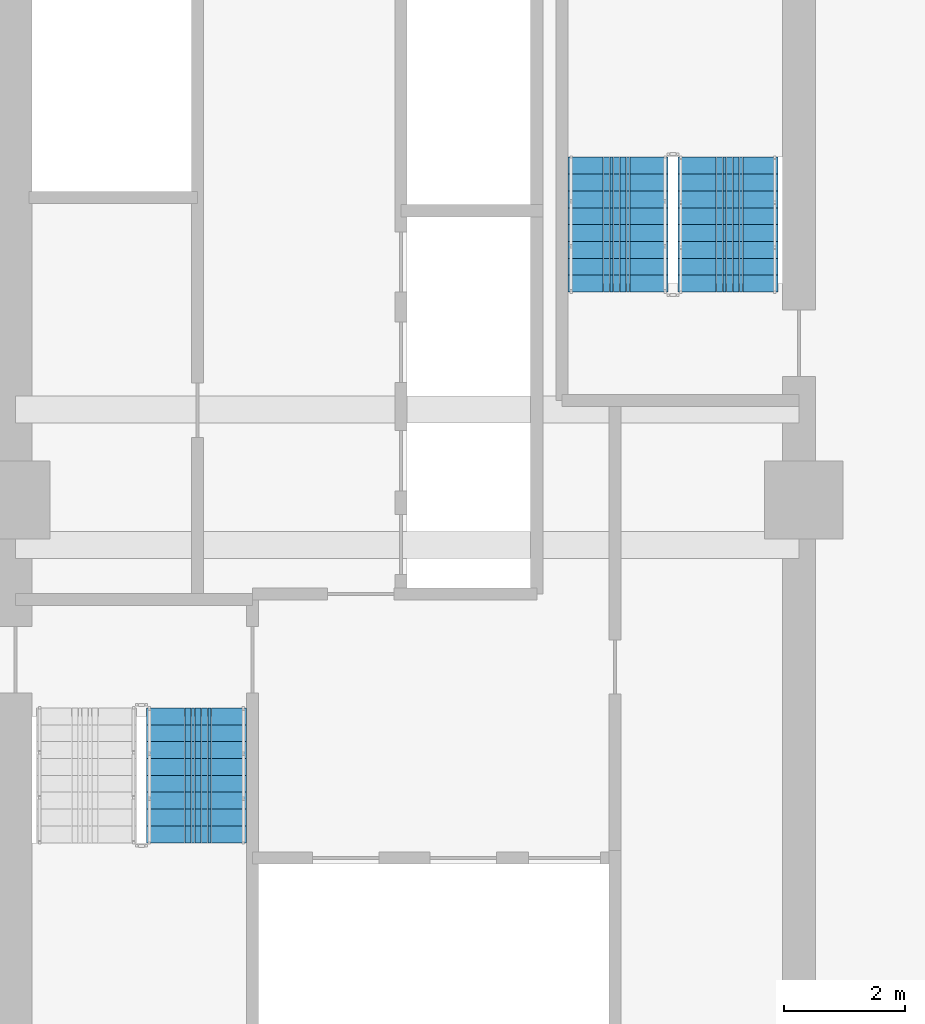
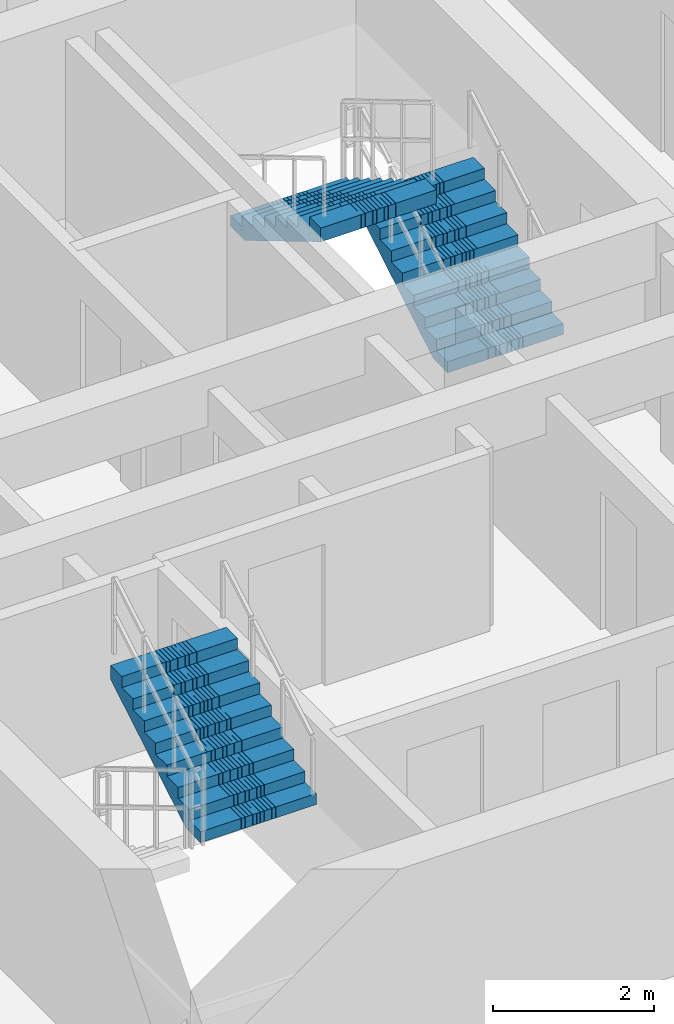
# One storey, part 7 of 11: 3 stair flights, 2 elements without a shape of their own.
"""IFC4 building model written with IfcOpenShell, lengths in metres."""

from ifc_helpers import new_model, si_unit, direction, frame, origin, place, context, subcontext, project, spatial, polyline, outline, extrude, material, type_object, element, aggregate, save


model = new_model("IFC4")

# Units and contexts
model_context = context("Model", 3, precision=1e-05, world=origin(), true_north=direction((0.0, 1.0)))
body_context = subcontext(model_context, "Body", "Model", "MODEL_VIEW")
ifc_project = project(units=[si_unit("LENGTHUNIT", "METRE"), si_unit("AREAUNIT", "SQUARE_METRE"), si_unit("VOLUMEUNIT", "CUBIC_METRE"), si_unit("PLANEANGLEUNIT", "RADIAN"), si_unit("MASSUNIT", "GRAM", prefix="KILO")], contexts=[model_context])

# Site, building, storey
site_placement = place(None, origin())
site = spatial("IfcSite", under=ifc_project, at=site_placement, CompositionType="ELEMENT")
building_placement = place(site_placement, origin())
building = spatial("IfcBuilding", under=site, at=building_placement, Name="Saelheon Loggia Tower", CompositionType="ELEMENT")
storey_placement = place(building_placement, frame((0.0, 0.0, 141.75)))
storey = spatial("IfcBuildingStorey", under=building, at=storey_placement, Name="L45", CompositionType="ELEMENT", Elevation=141.75)

# Stair, stair flight
ifc_material = material(Name="Concrete C40/50", Category="concrete")
stair_type = type_object("IfcStairType", Name="Stair_Escape_Core", PredefinedType="HALF_TURN_STAIR", material=ifc_material)
stair_1_placement = place(storey_placement, origin())
stair_1 = element("IfcStair", 1, at=stair_1_placement, inside=storey, type_object=stair_type, Name="L45 Special Escape Stair ST1", PredefinedType="HALF_TURN_STAIR")
stair_flight_type = type_object("IfcStairFlightType", Name="StairFlight_Tower_1660", PredefinedType="STRAIGHT", material=ifc_material)
stair_flight_1_placement = place(storey_placement, frame((34.5, 21.31005859375, 1.5), z_axis=(0.0, 0.0, 1.0), x_axis=(0.0, 1.0, 0.0)))
stair_flight_1 = element("IfcStairFlight", 2, at=stair_flight_1_placement, type_object=stair_flight_type, Name="ST1 flight 2", NumberOfRisers=9, NumberOfTreads=8, PredefinedType="STRAIGHT", RiserHeight=0.166666667, TreadLength=0.28, context=body_context, shape_type="SweptSolid", body=[
    extrude(outline(polyline([(0.0, 0.0), (0.0, 0.166748046875), (0.280029296875, 0.166748046875), (0.280029296875, 0.333251953125), (0.56005859375, 0.333251953125), (0.56005859375, 0.5), (0.840087890625, 0.5), (0.840087890625, 0.666748046875), (1.1201171875, 0.666748046875), (1.1201171875, 0.833251953125), (1.39990234375, 0.833251953125), (1.39990234375, 1.0), (1.679931640625, 1.0), (1.679931640625, 1.166748046875), (1.9599609375, 1.166748046875), (1.9599609375, 1.333251953125), (2.239990234375, 1.333251953125), (2.239990234375, 1.5), (2.239990234375, 1.1240234375), (0.351806640625, 0.0), (0.0, 0.0)])), frame((0.0, -0.2490234375, 0.0), z_axis=(0.0, -1.0, 0.0), x_axis=(1.0, 0.0, 0.0)), (0.0, 0.0, 1.0), 0.5810546875),
    extrude(outline(polyline([(0.0, 0.0), (0.0, 0.166748046875), (0.280029296875, 0.166748046875), (0.280029296875, 0.333251953125), (0.56005859375, 0.333251953125), (0.56005859375, 0.5), (0.840087890625, 0.5), (0.840087890625, 0.666748046875), (1.1201171875, 0.666748046875), (1.1201171875, 0.833251953125), (1.39990234375, 0.833251953125), (1.39990234375, 1.0), (1.679931640625, 1.0), (1.679931640625, 1.166748046875), (1.9599609375, 1.166748046875), (1.9599609375, 1.333251953125), (2.239990234375, 1.333251953125), (2.239990234375, 1.5), (2.239990234375, 1.1240234375), (0.351806640625, 0.0), (0.0, 0.0)])), frame((0.0, -0.194091796875, 0.0), z_axis=(0.0, -1.0, 0.0), x_axis=(1.0, 0.0, 0.0)), (0.0, 0.0, 1.0), 0.0498046875),
    extrude(outline(polyline([(0.0, 0.0), (0.0, 0.166748046875), (0.280029296875, 0.166748046875), (0.280029296875, 0.333251953125), (0.56005859375, 0.333251953125), (0.56005859375, 0.5), (0.840087890625, 0.5), (0.840087890625, 0.666748046875), (1.1201171875, 0.666748046875), (1.1201171875, 0.833251953125), (1.39990234375, 0.833251953125), (1.39990234375, 1.0), (1.679931640625, 1.0), (1.679931640625, 1.166748046875), (1.9599609375, 1.166748046875), (1.9599609375, 1.333251953125), (2.239990234375, 1.333251953125), (2.239990234375, 1.5), (2.239990234375, 1.1240234375), (0.351806640625, 0.0), (0.0, 0.0)])), frame((0.0, -0.139404296875, 0.0), z_axis=(0.0, -1.0, 0.0), x_axis=(1.0, 0.0, 0.0)), (0.0, 0.0, 1.0), 0.0498046875),
    extrude(outline(polyline([(0.0, 0.0), (0.0, 0.166748046875), (0.280029296875, 0.166748046875), (0.280029296875, 0.333251953125), (0.56005859375, 0.333251953125), (0.56005859375, 0.5), (0.840087890625, 0.5), (0.840087890625, 0.666748046875), (1.1201171875, 0.666748046875), (1.1201171875, 0.833251953125), (1.39990234375, 0.833251953125), (1.39990234375, 1.0), (1.679931640625, 1.0), (1.679931640625, 1.166748046875), (1.9599609375, 1.166748046875), (1.9599609375, 1.333251953125), (2.239990234375, 1.333251953125), (2.239990234375, 1.5), (2.239990234375, 1.1240234375), (0.351806640625, 0.0), (0.0, 0.0)])), frame((0.0, -0.084716796875, 0.0), z_axis=(0.0, -1.0, 0.0), x_axis=(1.0, 0.0, 0.0)), (0.0, 0.0, 1.0), 0.0498046875),
    extrude(outline(polyline([(0.0, 0.0), (0.0, 0.166748046875), (0.280029296875, 0.166748046875), (0.280029296875, 0.333251953125), (0.56005859375, 0.333251953125), (0.56005859375, 0.5), (0.840087890625, 0.5), (0.840087890625, 0.666748046875), (1.1201171875, 0.666748046875), (1.1201171875, 0.833251953125), (1.39990234375, 0.833251953125), (1.39990234375, 1.0), (1.679931640625, 1.0), (1.679931640625, 1.166748046875), (1.9599609375, 1.166748046875), (1.9599609375, 1.333251953125), (2.239990234375, 1.333251953125), (2.239990234375, 1.5), (2.239990234375, 1.1240234375), (0.351806640625, 0.0), (0.0, 0.0)])), frame((0.0, -0.02978515625, 0.0), z_axis=(0.0, -1.0, 0.0), x_axis=(1.0, 0.0, 0.0)), (0.0, 0.0, 1.0), 0.0498046875),
    extrude(outline(polyline([(0.0, 0.0), (0.0, 0.166748046875), (0.280029296875, 0.166748046875), (0.280029296875, 0.333251953125), (0.56005859375, 0.333251953125), (0.56005859375, 0.5), (0.840087890625, 0.5), (0.840087890625, 0.666748046875), (1.1201171875, 0.666748046875), (1.1201171875, 0.833251953125), (1.39990234375, 0.833251953125), (1.39990234375, 1.0), (1.679931640625, 1.0), (1.679931640625, 1.166748046875), (1.9599609375, 1.166748046875), (1.9599609375, 1.333251953125), (2.239990234375, 1.333251953125), (2.239990234375, 1.5), (2.239990234375, 1.1240234375), (0.351806640625, 0.0), (0.0, 0.0)])), frame((0.0, 0.02490234375, 0.0), z_axis=(0.0, -1.0, 0.0), x_axis=(1.0, 0.0, 0.0)), (0.0, 0.0, 1.0), 0.0498046875),
    extrude(outline(polyline([(0.0, 0.0), (0.0, 0.166748046875), (0.280029296875, 0.166748046875), (0.280029296875, 0.333251953125), (0.56005859375, 0.333251953125), (0.56005859375, 0.5), (0.840087890625, 0.5), (0.840087890625, 0.666748046875), (1.1201171875, 0.666748046875), (1.1201171875, 0.833251953125), (1.39990234375, 0.833251953125), (1.39990234375, 1.0), (1.679931640625, 1.0), (1.679931640625, 1.166748046875), (1.9599609375, 1.166748046875), (1.9599609375, 1.333251953125), (2.239990234375, 1.333251953125), (2.239990234375, 1.5), (2.239990234375, 1.1240234375), (0.351806640625, 0.0), (0.0, 0.0)])), frame((0.0, 0.07958984375, 0.0), z_axis=(0.0, -1.0, 0.0), x_axis=(1.0, 0.0, 0.0)), (0.0, 0.0, 1.0), 0.0498046875),
    extrude(outline(polyline([(0.0, 0.0), (0.0, 0.166748046875), (0.280029296875, 0.166748046875), (0.280029296875, 0.333251953125), (0.56005859375, 0.333251953125), (0.56005859375, 0.5), (0.840087890625, 0.5), (0.840087890625, 0.666748046875), (1.1201171875, 0.666748046875), (1.1201171875, 0.833251953125), (1.39990234375, 0.833251953125), (1.39990234375, 1.0), (1.679931640625, 1.0), (1.679931640625, 1.166748046875), (1.9599609375, 1.166748046875), (1.9599609375, 1.333251953125), (2.239990234375, 1.333251953125), (2.239990234375, 1.5), (2.239990234375, 1.1240234375), (0.351806640625, 0.0), (0.0, 0.0)])), frame((0.0, 0.134521484375, 0.0), z_axis=(0.0, -1.0, 0.0), x_axis=(1.0, 0.0, 0.0)), (0.0, 0.0, 1.0), 0.0498046875),
    extrude(outline(polyline([(0.0, 0.0), (0.0, 0.166748046875), (0.280029296875, 0.166748046875), (0.280029296875, 0.333251953125), (0.56005859375, 0.333251953125), (0.56005859375, 0.5), (0.840087890625, 0.5), (0.840087890625, 0.666748046875), (1.1201171875, 0.666748046875), (1.1201171875, 0.833251953125), (1.39990234375, 0.833251953125), (1.39990234375, 1.0), (1.679931640625, 1.0), (1.679931640625, 1.166748046875), (1.9599609375, 1.166748046875), (1.9599609375, 1.333251953125), (2.239990234375, 1.333251953125), (2.239990234375, 1.5), (2.239990234375, 1.1240234375), (0.351806640625, 0.0), (0.0, 0.0)])), frame((0.0, 0.189208984375, 0.0), z_axis=(0.0, -1.0, 0.0), x_axis=(1.0, 0.0, 0.0)), (0.0, 0.0, 1.0), 0.0498046875),
    extrude(outline(polyline([(0.0, 0.0), (0.0, 0.166748046875), (0.280029296875, 0.166748046875), (0.280029296875, 0.333251953125), (0.56005859375, 0.333251953125), (0.56005859375, 0.5), (0.840087890625, 0.5), (0.840087890625, 0.666748046875), (1.1201171875, 0.666748046875), (1.1201171875, 0.833251953125), (1.39990234375, 0.833251953125), (1.39990234375, 1.0), (1.679931640625, 1.0), (1.679931640625, 1.166748046875), (1.9599609375, 1.166748046875), (1.9599609375, 1.333251953125), (2.239990234375, 1.333251953125), (2.239990234375, 1.5), (2.239990234375, 1.1240234375), (0.351806640625, 0.0), (0.0, 0.0)])), frame((0.0, 0.243896484375, 0.0), z_axis=(0.0, -1.0, 0.0), x_axis=(1.0, 0.0, 0.0)), (0.0, 0.0, 1.0), 0.0498046875),
    extrude(outline(polyline([(0.0, 0.0), (0.0, 0.166748046875), (0.280029296875, 0.166748046875), (0.280029296875, 0.333251953125), (0.56005859375, 0.333251953125), (0.56005859375, 0.5), (0.840087890625, 0.5), (0.840087890625, 0.666748046875), (1.1201171875, 0.666748046875), (1.1201171875, 0.833251953125), (1.39990234375, 0.833251953125), (1.39990234375, 1.0), (1.679931640625, 1.0), (1.679931640625, 1.166748046875), (1.9599609375, 1.166748046875), (1.9599609375, 1.333251953125), (2.239990234375, 1.333251953125), (2.239990234375, 1.5), (2.239990234375, 1.1240234375), (0.351806640625, 0.0), (0.0, 0.0)])), frame((0.0, 0.830078125, 0.0), z_axis=(0.0, -1.0, 0.0), x_axis=(1.0, 0.0, 0.0)), (0.0, 0.0, 1.0), 0.5810546875),
])
aggregate(stair_1, [stair_flight_1])

# Stair, stair flights
stair_2_placement = place(storey_placement, origin())
stair_2 = element("IfcStair", 3, at=stair_2_placement, inside=storey, type_object=stair_type, Name="L45 Special Escape Stair ST2", PredefinedType="HALF_TURN_STAIR")
stair_flight_2_placement = place(storey_placement, frame((43.320068359375, 30.449951171875, 0.0), z_axis=(0.0, 0.0, 1.0), x_axis=(0.0, 1.0, 0.0)))
stair_flight_2 = element("IfcStairFlight", 4, at=stair_flight_2_placement, type_object=stair_flight_type, Name="ST2 flight 1", NumberOfRisers=9, NumberOfTreads=8, PredefinedType="STRAIGHT", RiserHeight=0.166666667, TreadLength=0.28, context=body_context, shape_type="SweptSolid", body=[
    extrude(outline(polyline([(0.0, 0.0), (0.0, 0.166748046875), (0.280029296875, 0.166748046875), (0.280029296875, 0.333251953125), (0.56005859375, 0.333251953125), (0.56005859375, 0.5), (0.840087890625, 0.5), (0.840087890625, 0.666748046875), (1.1201171875, 0.666748046875), (1.1201171875, 0.833251953125), (1.39990234375, 0.833251953125), (1.39990234375, 1.0), (1.679931640625, 1.0), (1.679931640625, 1.166748046875), (1.9599609375, 1.166748046875), (1.9599609375, 1.333251953125), (2.239990234375, 1.333251953125), (2.239990234375, 1.5), (2.239990234375, 1.1240234375), (0.351806640625, 0.0), (0.0, 0.0)])), frame((0.0, -0.2490234375, 0.0), z_axis=(0.0, -1.0, 0.0), x_axis=(1.0, 0.0, 0.0)), (0.0, 0.0, 1.0), 0.5810546875),
    extrude(outline(polyline([(0.0, 0.0), (0.0, 0.166748046875), (0.280029296875, 0.166748046875), (0.280029296875, 0.333251953125), (0.56005859375, 0.333251953125), (0.56005859375, 0.5), (0.840087890625, 0.5), (0.840087890625, 0.666748046875), (1.1201171875, 0.666748046875), (1.1201171875, 0.833251953125), (1.39990234375, 0.833251953125), (1.39990234375, 1.0), (1.679931640625, 1.0), (1.679931640625, 1.166748046875), (1.9599609375, 1.166748046875), (1.9599609375, 1.333251953125), (2.239990234375, 1.333251953125), (2.239990234375, 1.5), (2.239990234375, 1.1240234375), (0.351806640625, 0.0), (0.0, 0.0)])), frame((0.0, -0.194091796875, 0.0), z_axis=(0.0, -1.0, 0.0), x_axis=(1.0, 0.0, 0.0)), (0.0, 0.0, 1.0), 0.0498046875),
    extrude(outline(polyline([(0.0, 0.0), (0.0, 0.166748046875), (0.280029296875, 0.166748046875), (0.280029296875, 0.333251953125), (0.56005859375, 0.333251953125), (0.56005859375, 0.5), (0.840087890625, 0.5), (0.840087890625, 0.666748046875), (1.1201171875, 0.666748046875), (1.1201171875, 0.833251953125), (1.39990234375, 0.833251953125), (1.39990234375, 1.0), (1.679931640625, 1.0), (1.679931640625, 1.166748046875), (1.9599609375, 1.166748046875), (1.9599609375, 1.333251953125), (2.239990234375, 1.333251953125), (2.239990234375, 1.5), (2.239990234375, 1.1240234375), (0.351806640625, 0.0), (0.0, 0.0)])), frame((0.0, -0.139404296875, 0.0), z_axis=(0.0, -1.0, 0.0), x_axis=(1.0, 0.0, 0.0)), (0.0, 0.0, 1.0), 0.0498046875),
    extrude(outline(polyline([(0.0, 0.0), (0.0, 0.166748046875), (0.280029296875, 0.166748046875), (0.280029296875, 0.333251953125), (0.56005859375, 0.333251953125), (0.56005859375, 0.5), (0.840087890625, 0.5), (0.840087890625, 0.666748046875), (1.1201171875, 0.666748046875), (1.1201171875, 0.833251953125), (1.39990234375, 0.833251953125), (1.39990234375, 1.0), (1.679931640625, 1.0), (1.679931640625, 1.166748046875), (1.9599609375, 1.166748046875), (1.9599609375, 1.333251953125), (2.239990234375, 1.333251953125), (2.239990234375, 1.5), (2.239990234375, 1.1240234375), (0.351806640625, 0.0), (0.0, 0.0)])), frame((0.0, -0.084716796875, 0.0), z_axis=(0.0, -1.0, 0.0), x_axis=(1.0, 0.0, 0.0)), (0.0, 0.0, 1.0), 0.0498046875),
    extrude(outline(polyline([(0.0, 0.0), (0.0, 0.166748046875), (0.280029296875, 0.166748046875), (0.280029296875, 0.333251953125), (0.56005859375, 0.333251953125), (0.56005859375, 0.5), (0.840087890625, 0.5), (0.840087890625, 0.666748046875), (1.1201171875, 0.666748046875), (1.1201171875, 0.833251953125), (1.39990234375, 0.833251953125), (1.39990234375, 1.0), (1.679931640625, 1.0), (1.679931640625, 1.166748046875), (1.9599609375, 1.166748046875), (1.9599609375, 1.333251953125), (2.239990234375, 1.333251953125), (2.239990234375, 1.5), (2.239990234375, 1.1240234375), (0.351806640625, 0.0), (0.0, 0.0)])), frame((0.0, -0.02978515625, 0.0), z_axis=(0.0, -1.0, 0.0), x_axis=(1.0, 0.0, 0.0)), (0.0, 0.0, 1.0), 0.0498046875),
    extrude(outline(polyline([(0.0, 0.0), (0.0, 0.166748046875), (0.280029296875, 0.166748046875), (0.280029296875, 0.333251953125), (0.56005859375, 0.333251953125), (0.56005859375, 0.5), (0.840087890625, 0.5), (0.840087890625, 0.666748046875), (1.1201171875, 0.666748046875), (1.1201171875, 0.833251953125), (1.39990234375, 0.833251953125), (1.39990234375, 1.0), (1.679931640625, 1.0), (1.679931640625, 1.166748046875), (1.9599609375, 1.166748046875), (1.9599609375, 1.333251953125), (2.239990234375, 1.333251953125), (2.239990234375, 1.5), (2.239990234375, 1.1240234375), (0.351806640625, 0.0), (0.0, 0.0)])), frame((0.0, 0.02490234375, 0.0), z_axis=(0.0, -1.0, 0.0), x_axis=(1.0, 0.0, 0.0)), (0.0, 0.0, 1.0), 0.0498046875),
    extrude(outline(polyline([(0.0, 0.0), (0.0, 0.166748046875), (0.280029296875, 0.166748046875), (0.280029296875, 0.333251953125), (0.56005859375, 0.333251953125), (0.56005859375, 0.5), (0.840087890625, 0.5), (0.840087890625, 0.666748046875), (1.1201171875, 0.666748046875), (1.1201171875, 0.833251953125), (1.39990234375, 0.833251953125), (1.39990234375, 1.0), (1.679931640625, 1.0), (1.679931640625, 1.166748046875), (1.9599609375, 1.166748046875), (1.9599609375, 1.333251953125), (2.239990234375, 1.333251953125), (2.239990234375, 1.5), (2.239990234375, 1.1240234375), (0.351806640625, 0.0), (0.0, 0.0)])), frame((0.0, 0.07958984375, 0.0), z_axis=(0.0, -1.0, 0.0), x_axis=(1.0, 0.0, 0.0)), (0.0, 0.0, 1.0), 0.0498046875),
    extrude(outline(polyline([(0.0, 0.0), (0.0, 0.166748046875), (0.280029296875, 0.166748046875), (0.280029296875, 0.333251953125), (0.56005859375, 0.333251953125), (0.56005859375, 0.5), (0.840087890625, 0.5), (0.840087890625, 0.666748046875), (1.1201171875, 0.666748046875), (1.1201171875, 0.833251953125), (1.39990234375, 0.833251953125), (1.39990234375, 1.0), (1.679931640625, 1.0), (1.679931640625, 1.166748046875), (1.9599609375, 1.166748046875), (1.9599609375, 1.333251953125), (2.239990234375, 1.333251953125), (2.239990234375, 1.5), (2.239990234375, 1.1240234375), (0.351806640625, 0.0), (0.0, 0.0)])), frame((0.0, 0.134521484375, 0.0), z_axis=(0.0, -1.0, 0.0), x_axis=(1.0, 0.0, 0.0)), (0.0, 0.0, 1.0), 0.0498046875),
    extrude(outline(polyline([(0.0, 0.0), (0.0, 0.166748046875), (0.280029296875, 0.166748046875), (0.280029296875, 0.333251953125), (0.56005859375, 0.333251953125), (0.56005859375, 0.5), (0.840087890625, 0.5), (0.840087890625, 0.666748046875), (1.1201171875, 0.666748046875), (1.1201171875, 0.833251953125), (1.39990234375, 0.833251953125), (1.39990234375, 1.0), (1.679931640625, 1.0), (1.679931640625, 1.166748046875), (1.9599609375, 1.166748046875), (1.9599609375, 1.333251953125), (2.239990234375, 1.333251953125), (2.239990234375, 1.5), (2.239990234375, 1.1240234375), (0.351806640625, 0.0), (0.0, 0.0)])), frame((0.0, 0.189208984375, 0.0), z_axis=(0.0, -1.0, 0.0), x_axis=(1.0, 0.0, 0.0)), (0.0, 0.0, 1.0), 0.0498046875),
    extrude(outline(polyline([(0.0, 0.0), (0.0, 0.166748046875), (0.280029296875, 0.166748046875), (0.280029296875, 0.333251953125), (0.56005859375, 0.333251953125), (0.56005859375, 0.5), (0.840087890625, 0.5), (0.840087890625, 0.666748046875), (1.1201171875, 0.666748046875), (1.1201171875, 0.833251953125), (1.39990234375, 0.833251953125), (1.39990234375, 1.0), (1.679931640625, 1.0), (1.679931640625, 1.166748046875), (1.9599609375, 1.166748046875), (1.9599609375, 1.333251953125), (2.239990234375, 1.333251953125), (2.239990234375, 1.5), (2.239990234375, 1.1240234375), (0.351806640625, 0.0), (0.0, 0.0)])), frame((0.0, 0.243896484375, 0.0), z_axis=(0.0, -1.0, 0.0), x_axis=(1.0, 0.0, 0.0)), (0.0, 0.0, 1.0), 0.0498046875),
    extrude(outline(polyline([(0.0, 0.0), (0.0, 0.166748046875), (0.280029296875, 0.166748046875), (0.280029296875, 0.333251953125), (0.56005859375, 0.333251953125), (0.56005859375, 0.5), (0.840087890625, 0.5), (0.840087890625, 0.666748046875), (1.1201171875, 0.666748046875), (1.1201171875, 0.833251953125), (1.39990234375, 0.833251953125), (1.39990234375, 1.0), (1.679931640625, 1.0), (1.679931640625, 1.166748046875), (1.9599609375, 1.166748046875), (1.9599609375, 1.333251953125), (2.239990234375, 1.333251953125), (2.239990234375, 1.5), (2.239990234375, 1.1240234375), (0.351806640625, 0.0), (0.0, 0.0)])), frame((0.0, 0.830078125, 0.0), z_axis=(0.0, -1.0, 0.0), x_axis=(1.0, 0.0, 0.0)), (0.0, 0.0, 1.0), 0.5810546875),
])
stair_flight_3_placement = place(storey_placement, frame((41.5, 32.68994140625, 1.5), z_axis=(0.0, 0.0, 1.0), x_axis=(0.0, -1.0, 0.0)))
stair_flight_3 = element("IfcStairFlight", 5, at=stair_flight_3_placement, type_object=stair_flight_type, Name="ST2 flight 2", NumberOfRisers=9, NumberOfTreads=8, PredefinedType="STRAIGHT", RiserHeight=0.166666667, TreadLength=0.28, context=body_context, shape_type="SweptSolid", body=[
    extrude(outline(polyline([(0.0, 0.0), (0.0, 0.166748046875), (0.280029296875, 0.166748046875), (0.280029296875, 0.333251953125), (0.56005859375, 0.333251953125), (0.56005859375, 0.5), (0.840087890625, 0.5), (0.840087890625, 0.666748046875), (1.1201171875, 0.666748046875), (1.1201171875, 0.833251953125), (1.39990234375, 0.833251953125), (1.39990234375, 1.0), (1.679931640625, 1.0), (1.679931640625, 1.166748046875), (1.9599609375, 1.166748046875), (1.9599609375, 1.333251953125), (2.239990234375, 1.333251953125), (2.239990234375, 1.5), (2.239990234375, 1.1240234375), (0.351806640625, 0.0), (0.0, 0.0)])), frame((0.0, -0.2490234375, 0.0), z_axis=(0.0, -1.0, 0.0), x_axis=(1.0, 0.0, 0.0)), (0.0, 0.0, 1.0), 0.5810546875),
    extrude(outline(polyline([(0.0, 0.0), (0.0, 0.166748046875), (0.280029296875, 0.166748046875), (0.280029296875, 0.333251953125), (0.56005859375, 0.333251953125), (0.56005859375, 0.5), (0.840087890625, 0.5), (0.840087890625, 0.666748046875), (1.1201171875, 0.666748046875), (1.1201171875, 0.833251953125), (1.39990234375, 0.833251953125), (1.39990234375, 1.0), (1.679931640625, 1.0), (1.679931640625, 1.166748046875), (1.9599609375, 1.166748046875), (1.9599609375, 1.333251953125), (2.239990234375, 1.333251953125), (2.239990234375, 1.5), (2.239990234375, 1.1240234375), (0.351806640625, 0.0), (0.0, 0.0)])), frame((0.0, -0.194091796875, 0.0), z_axis=(0.0, -1.0, 0.0), x_axis=(1.0, 0.0, 0.0)), (0.0, 0.0, 1.0), 0.0498046875),
    extrude(outline(polyline([(0.0, 0.0), (0.0, 0.166748046875), (0.280029296875, 0.166748046875), (0.280029296875, 0.333251953125), (0.56005859375, 0.333251953125), (0.56005859375, 0.5), (0.840087890625, 0.5), (0.840087890625, 0.666748046875), (1.1201171875, 0.666748046875), (1.1201171875, 0.833251953125), (1.39990234375, 0.833251953125), (1.39990234375, 1.0), (1.679931640625, 1.0), (1.679931640625, 1.166748046875), (1.9599609375, 1.166748046875), (1.9599609375, 1.333251953125), (2.239990234375, 1.333251953125), (2.239990234375, 1.5), (2.239990234375, 1.1240234375), (0.351806640625, 0.0), (0.0, 0.0)])), frame((0.0, -0.139404296875, 0.0), z_axis=(0.0, -1.0, 0.0), x_axis=(1.0, 0.0, 0.0)), (0.0, 0.0, 1.0), 0.0498046875),
    extrude(outline(polyline([(0.0, 0.0), (0.0, 0.166748046875), (0.280029296875, 0.166748046875), (0.280029296875, 0.333251953125), (0.56005859375, 0.333251953125), (0.56005859375, 0.5), (0.840087890625, 0.5), (0.840087890625, 0.666748046875), (1.1201171875, 0.666748046875), (1.1201171875, 0.833251953125), (1.39990234375, 0.833251953125), (1.39990234375, 1.0), (1.679931640625, 1.0), (1.679931640625, 1.166748046875), (1.9599609375, 1.166748046875), (1.9599609375, 1.333251953125), (2.239990234375, 1.333251953125), (2.239990234375, 1.5), (2.239990234375, 1.1240234375), (0.351806640625, 0.0), (0.0, 0.0)])), frame((0.0, -0.084716796875, 0.0), z_axis=(0.0, -1.0, 0.0), x_axis=(1.0, 0.0, 0.0)), (0.0, 0.0, 1.0), 0.0498046875),
    extrude(outline(polyline([(0.0, 0.0), (0.0, 0.166748046875), (0.280029296875, 0.166748046875), (0.280029296875, 0.333251953125), (0.56005859375, 0.333251953125), (0.56005859375, 0.5), (0.840087890625, 0.5), (0.840087890625, 0.666748046875), (1.1201171875, 0.666748046875), (1.1201171875, 0.833251953125), (1.39990234375, 0.833251953125), (1.39990234375, 1.0), (1.679931640625, 1.0), (1.679931640625, 1.166748046875), (1.9599609375, 1.166748046875), (1.9599609375, 1.333251953125), (2.239990234375, 1.333251953125), (2.239990234375, 1.5), (2.239990234375, 1.1240234375), (0.351806640625, 0.0), (0.0, 0.0)])), frame((0.0, -0.02978515625, 0.0), z_axis=(0.0, -1.0, 0.0), x_axis=(1.0, 0.0, 0.0)), (0.0, 0.0, 1.0), 0.0498046875),
    extrude(outline(polyline([(0.0, 0.0), (0.0, 0.166748046875), (0.280029296875, 0.166748046875), (0.280029296875, 0.333251953125), (0.56005859375, 0.333251953125), (0.56005859375, 0.5), (0.840087890625, 0.5), (0.840087890625, 0.666748046875), (1.1201171875, 0.666748046875), (1.1201171875, 0.833251953125), (1.39990234375, 0.833251953125), (1.39990234375, 1.0), (1.679931640625, 1.0), (1.679931640625, 1.166748046875), (1.9599609375, 1.166748046875), (1.9599609375, 1.333251953125), (2.239990234375, 1.333251953125), (2.239990234375, 1.5), (2.239990234375, 1.1240234375), (0.351806640625, 0.0), (0.0, 0.0)])), frame((0.0, 0.02490234375, 0.0), z_axis=(0.0, -1.0, 0.0), x_axis=(1.0, 0.0, 0.0)), (0.0, 0.0, 1.0), 0.0498046875),
    extrude(outline(polyline([(0.0, 0.0), (0.0, 0.166748046875), (0.280029296875, 0.166748046875), (0.280029296875, 0.333251953125), (0.56005859375, 0.333251953125), (0.56005859375, 0.5), (0.840087890625, 0.5), (0.840087890625, 0.666748046875), (1.1201171875, 0.666748046875), (1.1201171875, 0.833251953125), (1.39990234375, 0.833251953125), (1.39990234375, 1.0), (1.679931640625, 1.0), (1.679931640625, 1.166748046875), (1.9599609375, 1.166748046875), (1.9599609375, 1.333251953125), (2.239990234375, 1.333251953125), (2.239990234375, 1.5), (2.239990234375, 1.1240234375), (0.351806640625, 0.0), (0.0, 0.0)])), frame((0.0, 0.07958984375, 0.0), z_axis=(0.0, -1.0, 0.0), x_axis=(1.0, 0.0, 0.0)), (0.0, 0.0, 1.0), 0.0498046875),
    extrude(outline(polyline([(0.0, 0.0), (0.0, 0.166748046875), (0.280029296875, 0.166748046875), (0.280029296875, 0.333251953125), (0.56005859375, 0.333251953125), (0.56005859375, 0.5), (0.840087890625, 0.5), (0.840087890625, 0.666748046875), (1.1201171875, 0.666748046875), (1.1201171875, 0.833251953125), (1.39990234375, 0.833251953125), (1.39990234375, 1.0), (1.679931640625, 1.0), (1.679931640625, 1.166748046875), (1.9599609375, 1.166748046875), (1.9599609375, 1.333251953125), (2.239990234375, 1.333251953125), (2.239990234375, 1.5), (2.239990234375, 1.1240234375), (0.351806640625, 0.0), (0.0, 0.0)])), frame((0.0, 0.134521484375, 0.0), z_axis=(0.0, -1.0, 0.0), x_axis=(1.0, 0.0, 0.0)), (0.0, 0.0, 1.0), 0.0498046875),
    extrude(outline(polyline([(0.0, 0.0), (0.0, 0.166748046875), (0.280029296875, 0.166748046875), (0.280029296875, 0.333251953125), (0.56005859375, 0.333251953125), (0.56005859375, 0.5), (0.840087890625, 0.5), (0.840087890625, 0.666748046875), (1.1201171875, 0.666748046875), (1.1201171875, 0.833251953125), (1.39990234375, 0.833251953125), (1.39990234375, 1.0), (1.679931640625, 1.0), (1.679931640625, 1.166748046875), (1.9599609375, 1.166748046875), (1.9599609375, 1.333251953125), (2.239990234375, 1.333251953125), (2.239990234375, 1.5), (2.239990234375, 1.1240234375), (0.351806640625, 0.0), (0.0, 0.0)])), frame((0.0, 0.189208984375, 0.0), z_axis=(0.0, -1.0, 0.0), x_axis=(1.0, 0.0, 0.0)), (0.0, 0.0, 1.0), 0.0498046875),
    extrude(outline(polyline([(0.0, 0.0), (0.0, 0.166748046875), (0.280029296875, 0.166748046875), (0.280029296875, 0.333251953125), (0.56005859375, 0.333251953125), (0.56005859375, 0.5), (0.840087890625, 0.5), (0.840087890625, 0.666748046875), (1.1201171875, 0.666748046875), (1.1201171875, 0.833251953125), (1.39990234375, 0.833251953125), (1.39990234375, 1.0), (1.679931640625, 1.0), (1.679931640625, 1.166748046875), (1.9599609375, 1.166748046875), (1.9599609375, 1.333251953125), (2.239990234375, 1.333251953125), (2.239990234375, 1.5), (2.239990234375, 1.1240234375), (0.351806640625, 0.0), (0.0, 0.0)])), frame((0.0, 0.243896484375, 0.0), z_axis=(0.0, -1.0, 0.0), x_axis=(1.0, 0.0, 0.0)), (0.0, 0.0, 1.0), 0.0498046875),
    extrude(outline(polyline([(0.0, 0.0), (0.0, 0.166748046875), (0.280029296875, 0.166748046875), (0.280029296875, 0.333251953125), (0.56005859375, 0.333251953125), (0.56005859375, 0.5), (0.840087890625, 0.5), (0.840087890625, 0.666748046875), (1.1201171875, 0.666748046875), (1.1201171875, 0.833251953125), (1.39990234375, 0.833251953125), (1.39990234375, 1.0), (1.679931640625, 1.0), (1.679931640625, 1.166748046875), (1.9599609375, 1.166748046875), (1.9599609375, 1.333251953125), (2.239990234375, 1.333251953125), (2.239990234375, 1.5), (2.239990234375, 1.1240234375), (0.351806640625, 0.0), (0.0, 0.0)])), frame((0.0, 0.830078125, 0.0), z_axis=(0.0, -1.0, 0.0), x_axis=(1.0, 0.0, 0.0)), (0.0, 0.0, 1.0), 0.5810546875),
])
aggregate(stair_2, [stair_flight_2, stair_flight_3])

save(model, "model.ifc")
